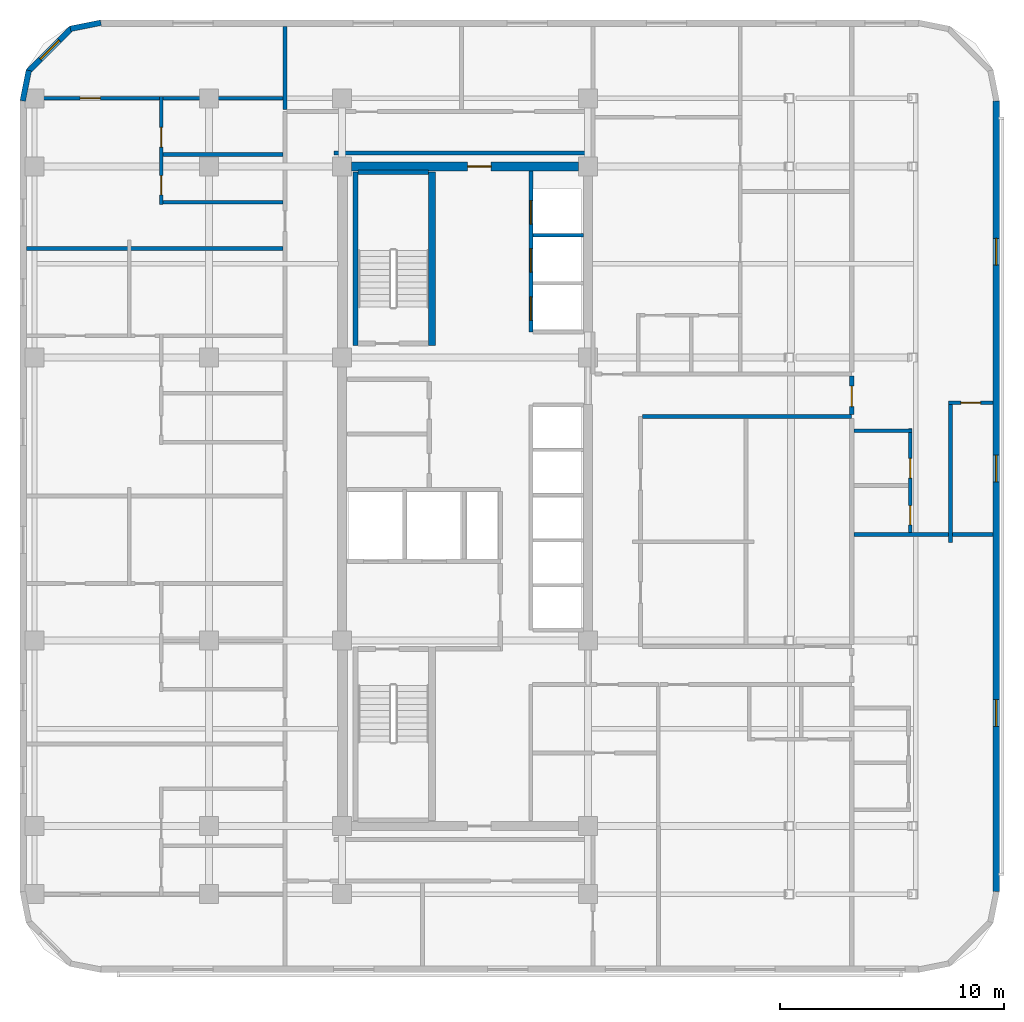
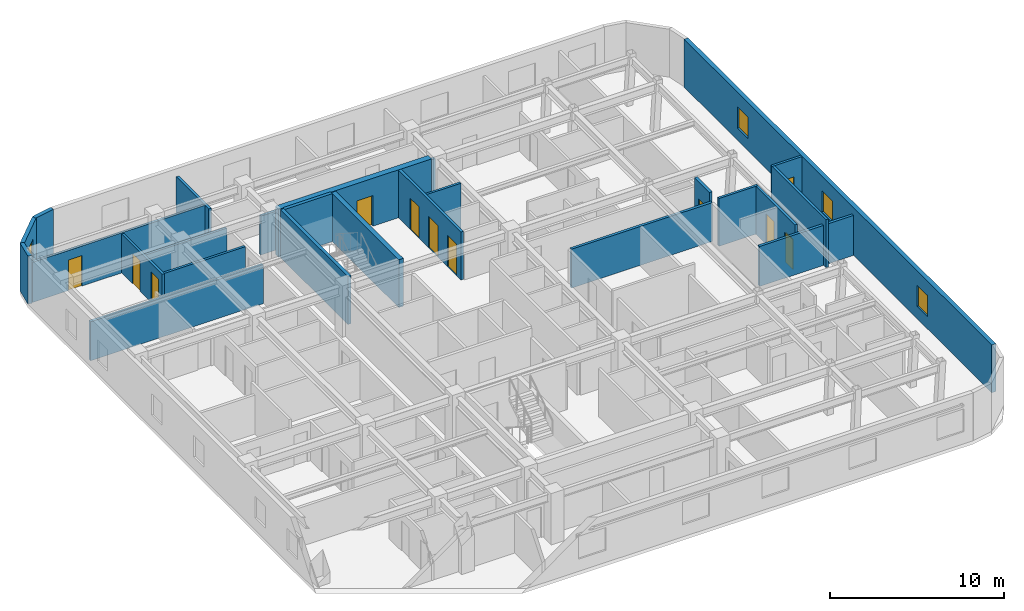
# One storey, part 6 of 11: 24 walls, 11 doors, 4 windows, 15 openings.
"""IFC4 building model written with IfcOpenShell, lengths in metres."""

from ifc_helpers import new_model, si_unit, direction, frame, frame_2d, origin, place, context, subcontext, project, spatial, rectangle, extrude, material, layer, layer_set, type_object, element, fill, save


model = new_model("IFC4")

# Units and contexts
model_context = context("Model", 3, precision=1e-05, world=origin(), true_north=direction((0.0, 1.0)))
body_context = subcontext(model_context, "Body", "Model", "MODEL_VIEW")
ifc_project = project(units=[si_unit("LENGTHUNIT", "METRE"), si_unit("AREAUNIT", "SQUARE_METRE"), si_unit("VOLUMEUNIT", "CUBIC_METRE"), si_unit("PLANEANGLEUNIT", "RADIAN"), si_unit("MASSUNIT", "GRAM", prefix="KILO")], contexts=[model_context])

# Site, building, storey
site_placement = place(None, origin())
site = spatial("IfcSite", under=ifc_project, at=site_placement, CompositionType="ELEMENT")
building_placement = place(site_placement, origin())
building = spatial("IfcBuilding", under=site, at=building_placement, Name="Ochreholt Gables", CompositionType="ELEMENT")
storey_placement = place(building_placement, frame((0.0, 0.0, 121.199951171875)))
storey = spatial("IfcBuildingStorey", under=building, at=storey_placement, Name="L31", CompositionType="ELEMENT", Elevation=121.199951171875)

# Wall, opening, door
ifc_material_1 = material(Name="Concrete 60 MPa", Category="concrete")
ifc_layer_1 = layer(ifc_material_1, 0.39990234375, Name="Concrete 60 MPa")
ifc_layer_set_1 = layer_set([ifc_layer_1], Name="Concrete 60 MPa")
wall_type_1 = type_object("IfcWallType", Name="WALL-CSW-400", PredefinedType="SHEAR", material=ifc_layer_set_1)
wall_1_placement = place(storey_placement, frame((24.625, 38.75, 0.0), z_axis=(0.0, 0.0, 1.0), x_axis=(1.0, 0.0, 0.0)))
wall_1 = element("IfcWall", 1, at=wall_1_placement, inside=storey, type_object=wall_type_1, Name="L31 Core North Shear Wall", PredefinedType="SHEAR", context=body_context, shape_type="SweptSolid", body=[
    extrude(rectangle(XDim=10.14990234375, YDim=0.39990234375, at=frame_2d((5.074951171875, 0.0))), origin(), (0.0, 0.0, 1.0), 3.360107421875),
])
opening_1_placement = place(wall_1_placement, frame((5.199951171875, 0.0, 0.0)))
opening_1 = element("IfcOpeningElement", 2, at=opening_1_placement, cuts=wall_1, Name="Opening D-FLB", PredefinedType="OPENING", context=body_context, shape_type="SweptSolid", body=[
    extrude(rectangle(XDim=1.050048828125, YDim=2.14990234375, at=frame_2d((0.52490234375, 1.074951171875))), frame((0.0, 0.2099609375, 0.0), z_axis=(0.0, -1.0, 0.0), x_axis=(1.0, 0.0, 0.0)), (0.0, 0.0, 1.0), 0.419921875),
])
ifc_material_2 = material(Name="Hollow Metal Steel", Category="steel")
door_type_1 = type_object("IfcDoorType", Name="DR-INT-FLB1050", OperationType="NOTDEFINED", PredefinedType="DOOR", material=ifc_material_2)
door_1_placement = place(opening_1_placement, frame((1.050048828125, 0.0, 0.0), z_axis=(0.0, 0.0, 1.0), x_axis=(-1.0, 0.0, 0.0)))
door_1 = element("IfcDoor", 3, at=door_1_placement, inside=storey, type_object=door_type_1, Name="L31 Door D-C2CRN-L31", OperationType="SINGLE_SWING_RIGHT", OverallHeight=2.14990234375, OverallWidth=1.050048828125, PredefinedType="DOOR", context=body_context, shape_type="SweptSolid", body=[
    extrude(rectangle(XDim=1.050048828125, YDim=2.14990234375, at=frame_2d((0.52490234375, 1.074951171875))), frame((0.0, 0.02490234375, 0.0), z_axis=(0.0, -1.0, 0.0), x_axis=(1.0, 0.0, 0.0)), (0.0, 0.0, 1.0), 0.050048828125),
])
fill(opening_1, door_1)

# Wall, openings, windows
ifc_material_3 = material(Name="Precast concrete 40 MPa", Category="concrete")
ifc_layer_2 = layer(ifc_material_3, 0.280029296875, Name="Precast concrete 40 MPa")
ifc_layer_set_2 = layer_set([ifc_layer_2], Name="Precast concrete 40 MPa")
wall_type_2 = type_object("IfcWallType", Name="WALL-EXT-280", PredefinedType="SOLIDWALL", material=ifc_layer_set_2)
wall_2_placement = place(storey_placement, frame((53.4599609375, 6.320068359375, 0.0), z_axis=(0.0, 0.0, 1.0), x_axis=(0.0, 1.0, 0.0)))
wall_2 = element("IfcWall", 4, at=wall_2_placement, inside=storey, type_object=wall_type_2, Name="L31 East Exterior Wall", PredefinedType="SOLIDWALL", context=body_context, shape_type="SweptSolid", body=[
    extrude(rectangle(XDim=35.35986328125, YDim=0.280029296875, at=frame_2d((17.679931640625, 0.0))), origin(), (0.0, 0.0, 1.0), 3.360107421875),
])
opening_2_placement = place(wall_2_placement, frame((7.387939453125, 0.0, 0.85009765625)))
opening_2 = element("IfcOpeningElement", 5, at=opening_2_placement, cuts=wall_2, Name="Opening WN-3", PredefinedType="OPENING", context=body_context, shape_type="SweptSolid", body=[
    extrude(rectangle(XDim=1.199951171875, YDim=1.5, at=frame_2d((0.60009765625, 0.75))), frame((0.0, 0.14990234375, 0.0), z_axis=(0.0, -1.0, 0.0), x_axis=(1.0, 0.0, 0.0)), (0.0, 0.0, 1.0), 0.300048828125),
])
opening_3_placement = place(wall_2_placement, frame((18.321044921875, 0.0, 0.85009765625)))
opening_3 = element("IfcOpeningElement", 6, at=opening_3_placement, cuts=wall_2, Name="Opening WN-3", PredefinedType="OPENING", context=body_context, shape_type="SweptSolid", body=[
    extrude(rectangle(XDim=1.199951171875, YDim=1.5, at=frame_2d((0.60009765625, 0.75))), frame((0.0, 0.14990234375, 0.0), z_axis=(0.0, -1.0, 0.0), x_axis=(1.0, 0.0, 0.0)), (0.0, 0.0, 1.0), 0.300048828125),
])
opening_4_placement = place(wall_2_placement, frame((28.012939453125, 0.0, 0.85009765625)))
opening_4 = element("IfcOpeningElement", 7, at=opening_4_placement, cuts=wall_2, Name="Opening WN-3", PredefinedType="OPENING", context=body_context, shape_type="SweptSolid", body=[
    extrude(rectangle(XDim=1.199951171875, YDim=1.5, at=frame_2d((0.60009765625, 0.75))), frame((0.0, 0.14990234375, 0.0), z_axis=(0.0, -1.0, 0.0), x_axis=(1.0, 0.0, 0.0)), (0.0, 0.0, 1.0), 0.300048828125),
])
ifc_material_4 = material(Name="Triple-Glazed Thermally Broken Aluminium Window", Category="aluminium")
window_type = type_object("IfcWindowType", Name="WIN-RES-1200", PartitioningType="SINGLE_PANEL", PredefinedType="WINDOW", material=ifc_material_4)
window_1_placement = place(opening_2_placement, origin())
window_1 = element("IfcWindow", 8, at=window_1_placement, inside=storey, type_object=window_type, Name="L31 Window W-EXT-E-L31-1", OverallHeight=1.5, OverallWidth=1.199951171875, PartitioningType="SINGLE_PANEL", PredefinedType="WINDOW", context=body_context, shape_type="SweptSolid", body=[
    extrude(rectangle(XDim=1.199951171875, YDim=1.5, at=frame_2d((0.60009765625, 0.75))), frame((0.0, 0.030029296875, 0.0), z_axis=(0.0, -1.0, 0.0), x_axis=(1.0, 0.0, 0.0)), (0.0, 0.0, 1.0), 0.06005859375),
])
fill(opening_2, window_1)
window_2_placement = place(opening_3_placement, origin())
window_2 = element("IfcWindow", 9, at=window_2_placement, inside=storey, type_object=window_type, Name="L31 Window W-EXT-E-L31-2", OverallHeight=1.5, OverallWidth=1.199951171875, PartitioningType="SINGLE_PANEL", PredefinedType="WINDOW", context=body_context, shape_type="SweptSolid", body=[
    extrude(rectangle(XDim=1.199951171875, YDim=1.5, at=frame_2d((0.60009765625, 0.75))), frame((0.0, 0.030029296875, 0.0), z_axis=(0.0, -1.0, 0.0), x_axis=(1.0, 0.0, 0.0)), (0.0, 0.0, 1.0), 0.06005859375),
])
fill(opening_3, window_2)
window_3_placement = place(opening_4_placement, origin())
window_3 = element("IfcWindow", 10, at=window_3_placement, inside=storey, type_object=window_type, Name="L31 Window W-EXT-E-L31-3", OverallHeight=1.5, OverallWidth=1.199951171875, PartitioningType="SINGLE_PANEL", PredefinedType="WINDOW", context=body_context, shape_type="SweptSolid", body=[
    extrude(rectangle(XDim=1.199951171875, YDim=1.5, at=frame_2d((0.60009765625, 0.75))), frame((0.0, 0.030029296875, 0.0), z_axis=(0.0, -1.0, 0.0), x_axis=(1.0, 0.0, 0.0)), (0.0, 0.0, 1.0), 0.06005859375),
])
fill(opening_4, window_3)

# Wall
ifc_layer_3 = layer(ifc_material_3, 0.25, Name="Precast concrete 40 MPa")
ifc_layer_set_3 = layer_set([ifc_layer_3], Name="Precast concrete 40 MPa")
wall_type_3 = type_object("IfcWallType", Name="WALL-EXT-CNR", PredefinedType="SOLIDWALL", material=ifc_layer_set_3)
wall_3_placement = place(storey_placement, frame((13.41650390625, 45.17578125, 0.0), z_axis=(0.0, 0.0, 1.0), x_axis=(-0.980809899341, -0.19496651342, 0.0)))
element("IfcWall", 11, at=wall_3_placement, inside=storey, type_object=wall_type_3, Name="L31 Rounded Corner Wall NW-1", PredefinedType="SOLIDWALL", context=body_context, shape_type="SweptSolid", body=[
    extrude(rectangle(XDim=1.388671875, YDim=0.25, at=frame_2d((0.6943359375, 0.0))), origin(), (0.0, 0.0, 1.0), 3.360107421875),
])

# Wall, opening, window
wall_4_placement = place(storey_placement, frame((12.10498046875, 44.931884765625, 0.0), z_axis=(0.0, 0.0, 1.0), x_axis=(-0.707151344399, -0.707062215165, 0.0)))
wall_4 = element("IfcWall", 12, at=wall_4_placement, inside=storey, type_object=wall_type_3, Name="L31 Rounded Corner Wall NW-2", PredefinedType="SOLIDWALL", context=body_context, shape_type="SweptSolid", body=[
    extrude(rectangle(XDim=2.7392578125, YDim=0.25, at=frame_2d((1.36962890625, 0.0))), origin(), (0.0, 0.0, 1.0), 3.360107421875),
])
opening_5_placement = place(wall_4_placement, frame((0.769775390625, 0.0, 0.85009765625)))
opening_5 = element("IfcOpeningElement", 13, at=opening_5_placement, cuts=wall_4, Name="Opening WN-3", PredefinedType="OPENING", context=body_context, shape_type="SweptSolid", body=[
    extrude(rectangle(XDim=1.199951171875, YDim=1.5, at=frame_2d((0.60009765625, 0.75))), frame((0.0, 0.135009765625, 0.0), z_axis=(0.0, -1.0, 0.0), x_axis=(1.0, 0.0, 0.0)), (0.0, 0.0, 1.0), 0.27001953125),
])
window_4_placement = place(opening_5_placement, origin())
window_4 = element("IfcWindow", 14, at=window_4_placement, inside=storey, type_object=window_type, Name="L31 Corner Bedroom Window NW", OverallHeight=1.5, OverallWidth=1.199951171875, PartitioningType="SINGLE_PANEL", PredefinedType="WINDOW", context=body_context, shape_type="SweptSolid", body=[
    extrude(rectangle(XDim=1.199951171875, YDim=1.5, at=frame_2d((0.60009765625, 0.75))), frame((0.0, 0.030029296875, 0.0), z_axis=(0.0, -1.0, 0.0), x_axis=(1.0, 0.0, 0.0)), (0.0, 0.0, 1.0), 0.06005859375),
])
fill(opening_5, window_4)

# Walls
wall_5_placement = place(storey_placement, frame((10.195068359375, 43.04541015625, 0.0), z_axis=(0.0, 0.0, 1.0), x_axis=(-0.195000137217, -0.980803214965, 0.0)))
element("IfcWall", 15, at=wall_5_placement, inside=storey, type_object=wall_type_3, Name="L31 Rounded Corner Wall NW-3", PredefinedType="SOLIDWALL", context=body_context, shape_type="SweptSolid", body=[
    extrude(rectangle(XDim=1.388427734375, YDim=0.25, at=frame_2d((0.6943359375, 0.0))), origin(), (0.0, 0.0, 1.0), 3.360107421875),
])
ifc_material_5 = material(Name="Fire-Rated Gypsum Acoustic Partition", Category="gypsum")
ifc_layer_4 = layer(ifc_material_5, 0.179931640625, Name="Fire-Rated Gypsum Acoustic Partition")
ifc_layer_set_4 = layer_set([ifc_layer_4], Name="Fire-Rated Gypsum Acoustic Partition")
wall_type_4 = type_object("IfcWallType", Name="WALL-INT-CR180", PredefinedType="STANDARD", material=ifc_layer_set_4)
wall_6_placement = place(storey_placement, frame((37.639892578125, 27.56005859375, 0.0), z_axis=(0.0, 0.0, 1.0), x_axis=(1.0, 0.0, 0.0)))
element("IfcWall", 16, at=wall_6_placement, inside=storey, type_object=wall_type_4, Name="L31 Interior Wall WI-C2SN1-L31", PredefinedType="STANDARD", context=body_context, shape_type="SweptSolid", body=[
    extrude(rectangle(XDim=9.360107421875, YDim=0.179931640625, at=frame_2d((4.68017578125, 0.0))), origin(), (0.0, 0.0, 1.0), 2.73095703125),
])
wall_7_placement = place(storey_placement, frame((23.85009765625, 39.35009765625, 0.0), z_axis=(0.0, 0.0, 1.0), x_axis=(1.0, 0.0, 0.0)))
element("IfcWall", 17, at=wall_7_placement, inside=storey, type_object=wall_type_4, Name="L31 Interior Wall WI-C2WCN2-L31", PredefinedType="STANDARD", context=body_context, shape_type="SweptSolid", body=[
    extrude(rectangle(XDim=11.56982421875, YDim=0.179931640625, at=frame_2d((5.784912109375, 0.0))), origin(), (0.0, 0.0, 1.0), 2.73095703125),
])

# Wall, opening, door
wall_8_placement = place(storey_placement, frame((47.0, 27.64990234375, 0.0), z_axis=(0.0, 0.0, 1.0), x_axis=(0.0, 1.0, 0.0)))
wall_8 = element("IfcWall", 18, at=wall_8_placement, inside=storey, type_object=wall_type_4, Name="L31 Interior Wall WI-C2SNE-L31", PredefinedType="STANDARD", context=body_context, shape_type="SweptSolid", body=[
    extrude(rectangle(XDim=1.72021484375, YDim=0.179931640625, at=frame_2d((0.860107421875, 0.0))), origin(), (0.0, 0.0, 1.0), 3.360107421875),
])
opening_6_placement = place(wall_8_placement, frame((0.360107421875, 0.0, 0.0)))
opening_6 = element("IfcOpeningElement", 19, at=opening_6_placement, cuts=wall_8, Name="Opening D-UN1", PredefinedType="OPENING", context=body_context, shape_type="SweptSolid", body=[
    extrude(rectangle(XDim=0.919921875, YDim=2.14990234375, at=frame_2d((0.4599609375, 1.074951171875))), frame((0.0, 0.099853515625, 0.0), z_axis=(0.0, -1.0, 0.0), x_axis=(1.0, 0.0, 0.0)), (0.0, 0.0, 1.0), 0.199951171875),
])
ifc_material_6 = material(Name="Engineered Oak Timber", Category="wood")
door_type_2 = type_object("IfcDoorType", Name="DR-INT-UNT920", OperationType="NOTDEFINED", PredefinedType="DOOR", material=ifc_material_6)
door_2_placement = place(opening_6_placement, origin())
door_2 = element("IfcDoor", 20, at=door_2_placement, inside=storey, type_object=door_type_2, Name="L31 Door D-U-L31FEN-ENT", OperationType="SINGLE_SWING_LEFT", OverallHeight=2.14990234375, OverallWidth=0.919921875, PredefinedType="DOOR", context=body_context, shape_type="SweptSolid", body=[
    extrude(rectangle(XDim=0.919921875, YDim=2.14990234375, at=frame_2d((0.4599609375, 1.074951171875))), frame((0.0, 0.02490234375, 0.0), z_axis=(0.0, -1.0, 0.0), x_axis=(1.0, 0.0, 0.0)), (0.0, 0.0, 1.0), 0.050048828125),
])
fill(opening_6, door_2)

# Walls
ifc_material_7 = material(Name="Double-Stud Acoustic Demising Wall", Category="gypsum")
ifc_layer_5 = layer(ifc_material_7, 0.179931640625, Name="Double-Stud Acoustic Demising Wall")
ifc_layer_set_5 = layer_set([ifc_layer_5], Name="Double-Stud Acoustic Demising Wall")
wall_type_5 = type_object("IfcWallType", Name="WALL-INT-DM180", PredefinedType="PARTITIONING", material=ifc_layer_set_5)
wall_9_placement = place(storey_placement, frame((21.64990234375, 41.2900390625, 0.0), z_axis=(0.0, 0.0, 1.0), x_axis=(0.0, 1.0, 0.0)))
element("IfcWall", 21, at=wall_9_placement, inside=storey, type_object=wall_type_5, Name="L31 Interior Wall WI-C2WWN-L31", PredefinedType="PARTITIONING", context=body_context, shape_type="SweptSolid", body=[
    extrude(rectangle(XDim=3.72998046875, YDim=0.179931640625, at=frame_2d((1.864990234375, 0.0))), origin(), (0.0, 0.0, 1.0), 2.80908203125),
])
wall_10_placement = place(storey_placement, frame((47.090087890625, 22.2958984375, 0.0), z_axis=(0.0, 0.0, 1.0), x_axis=(1.0, 0.0, 0.0)))
element("IfcWall", 22, at=wall_10_placement, inside=storey, type_object=wall_type_5, Name="L31 Interior Wall WI-C2FED-L31", PredefinedType="PARTITIONING", context=body_context, shape_type="SweptSolid", body=[
    extrude(rectangle(XDim=6.22998046875, YDim=0.179931640625, at=frame_2d((3.114990234375, 0.0))), origin(), (0.0, 0.0, 1.0), 2.80908203125),
])
wall_11_placement = place(storey_placement, frame((10.080078125, 35.075927734375, 0.0), z_axis=(0.0, 0.0, 1.0), x_axis=(1.0, 0.0, 0.0)))
element("IfcWall", 23, at=wall_11_placement, inside=storey, type_object=wall_type_5, Name="L31 Interior Wall WI-C2UDW4-L31", PredefinedType="PARTITIONING", context=body_context, shape_type="SweptSolid", body=[
    extrude(rectangle(XDim=11.47998046875, YDim=0.179931640625, at=frame_2d((5.739990234375, 0.0))), origin(), (0.0, 0.0, 1.0), 2.73095703125),
])
ifc_material_8 = material(Name="Moisture-Resistant Plumbing Chase Wall", Category="gypsum")
ifc_layer_6 = layer(ifc_material_8, 0.159912109375, Name="Moisture-Resistant Plumbing Chase Wall")
ifc_layer_set_6 = layer_set([ifc_layer_6], Name="Moisture-Resistant Plumbing Chase Wall")
wall_type_6 = type_object("IfcWallType", Name="WALL-INT-PL160", PredefinedType="PLUMBINGWALL", material=ifc_layer_set_6)
wall_12_placement = place(storey_placement, frame((47.090087890625, 26.93603515625, 0.0), z_axis=(0.0, 0.0, 1.0), x_axis=(1.0, 0.0, 0.0)))
element("IfcWall", 24, at=wall_12_placement, inside=storey, type_object=wall_type_6, Name="L31 Interior Wall WU-L31FEN-WYN", PredefinedType="PLUMBINGWALL", context=body_context, shape_type="SweptSolid", body=[
    extrude(rectangle(XDim=2.60595703125, YDim=0.159912109375, at=frame_2d((1.302978515625, 0.0))), origin(), (0.0, 0.0, 1.0), 3.360107421875),
])

# Wall, openings, doors
wall_13_placement = place(storey_placement, frame((49.615966796875, 22.385986328125, 0.0), z_axis=(0.0, 0.0, 1.0), x_axis=(0.0, 1.0, 0.0)))
wall_13 = element("IfcWall", 25, at=wall_13_placement, inside=storey, type_object=wall_type_6, Name="L31 Interior Wall WU-L31FEN-WX", PredefinedType="PLUMBINGWALL", context=body_context, shape_type="SweptSolid", body=[
    extrude(rectangle(XDim=4.639892578125, YDim=0.159912109375, at=frame_2d((2.31982421875, 0.0))), origin(), (0.0, 0.0, 1.0), 3.360107421875),
])
opening_7_placement = place(wall_13_placement, frame((0.330078125, 0.0, 0.0)))
opening_7 = element("IfcOpeningElement", 26, at=opening_7_placement, cuts=wall_13, Name="Opening D-BT1", PredefinedType="OPENING", context=body_context, shape_type="SweptSolid", body=[
    extrude(rectangle(XDim=0.860107421875, YDim=2.1201171875, at=frame_2d((0.43017578125, 1.06005859375))), frame((0.0, 0.08984375, 0.0), z_axis=(0.0, -1.0, 0.0), x_axis=(1.0, 0.0, 0.0)), (0.0, 0.0, 1.0), 0.179931640625),
])
opening_8_placement = place(wall_13_placement, frame((2.423095703125, 0.0, 0.0)))
opening_8 = element("IfcOpeningElement", 27, at=opening_8_placement, cuts=wall_13, Name="Opening D-GN2", PredefinedType="OPENING", context=body_context, shape_type="SweptSolid", body=[
    extrude(rectangle(XDim=0.8798828125, YDim=2.1201171875, at=frame_2d((0.43994140625, 1.06005859375))), frame((0.0, 0.08984375, 0.0), z_axis=(0.0, -1.0, 0.0), x_axis=(1.0, 0.0, 0.0)), (0.0, 0.0, 1.0), 0.179931640625),
])
door_type_3 = type_object("IfcDoorType", Name="DR-INT-BTH860", OperationType="NOTDEFINED", PredefinedType="DOOR", material=ifc_material_6)
door_3_placement = place(opening_7_placement, origin())
door_3 = element("IfcDoor", 28, at=door_3_placement, inside=storey, type_object=door_type_3, Name="L31 Door D-U-L31FEN-BTH", OperationType="SINGLE_SWING_RIGHT", OverallHeight=2.1201171875, OverallWidth=0.860107421875, PredefinedType="DOOR", context=body_context, shape_type="SweptSolid", body=[
    extrude(rectangle(XDim=0.860107421875, YDim=2.1201171875, at=frame_2d((0.43017578125, 1.06005859375))), frame((0.0, 0.02490234375, 0.0), z_axis=(0.0, -1.0, 0.0), x_axis=(1.0, 0.0, 0.0)), (0.0, 0.0, 1.0), 0.050048828125),
])
fill(opening_7, door_3)
door_type_4 = type_object("IfcDoorType", Name="DR-INT-GEN880", OperationType="NOTDEFINED", PredefinedType="DOOR", material=ifc_material_6)
door_4_placement = place(opening_8_placement, origin())
door_4 = element("IfcDoor", 29, at=door_4_placement, inside=storey, type_object=door_type_4, Name="L31 Door D-U-L31FEN-KIT", OperationType="SINGLE_SWING_LEFT", OverallHeight=2.1201171875, OverallWidth=0.8798828125, PredefinedType="DOOR", context=body_context, shape_type="SweptSolid", body=[
    extrude(rectangle(XDim=0.8798828125, YDim=2.1201171875, at=frame_2d((0.43994140625, 1.06005859375))), frame((0.0, 0.02490234375, 0.0), z_axis=(0.0, -1.0, 0.0), x_axis=(1.0, 0.0, 0.0)), (0.0, 0.0, 1.0), 0.050048828125),
])
fill(opening_8, door_4)

# Wall
wall_14_placement = place(storey_placement, frame((16.030029296875, 37.14501953125, 0.0), z_axis=(0.0, 0.0, 1.0), x_axis=(1.0, 0.0, 0.0)))
element("IfcWall", 30, at=wall_14_placement, inside=storey, type_object=wall_type_6, Name="L31 Interior Wall WU-L31W4-FYS", PredefinedType="PLUMBINGWALL", context=body_context, shape_type="SweptSolid", body=[
    extrude(rectangle(XDim=5.530029296875, YDim=0.159912109375, at=frame_2d((2.76513671875, 0.0))), origin(), (0.0, 0.0, 1.0), 2.73095703125),
])

# Wall, openings, doors
wall_15_placement = place(storey_placement, frame((16.110107421875, 37.054931640625, 0.0), z_axis=(0.0, 0.0, 1.0), x_axis=(0.0, 1.0, 0.0)))
wall_15 = element("IfcWall", 31, at=wall_15_placement, inside=storey, type_object=wall_type_6, Name="L31 Interior Wall WU-L31W4-WX", PredefinedType="PLUMBINGWALL", context=body_context, shape_type="SweptSolid", body=[
    extrude(rectangle(XDim=4.830078125, YDim=0.159912109375, at=frame_2d((2.4150390625, 0.0))), origin(), (0.0, 0.0, 1.0), 2.73095703125),
])
opening_9_placement = place(wall_15_placement, frame((0.419921875, 0.0, 0.0)))
opening_9 = element("IfcOpeningElement", 32, at=opening_9_placement, cuts=wall_15, Name="Opening D-BT1", PredefinedType="OPENING", context=body_context, shape_type="SweptSolid", body=[
    extrude(rectangle(XDim=0.860107421875, YDim=2.1201171875, at=frame_2d((0.43017578125, 1.06005859375))), frame((0.0, 0.08984375, 0.0), z_axis=(0.0, -1.0, 0.0), x_axis=(1.0, 0.0, 0.0)), (0.0, 0.0, 1.0), 0.179931640625),
])
opening_10_placement = place(wall_15_placement, frame((2.55908203125, 0.0, 0.0)))
opening_10 = element("IfcOpeningElement", 33, at=opening_10_placement, cuts=wall_15, Name="Opening D-GN2", PredefinedType="OPENING", context=body_context, shape_type="SweptSolid", body=[
    extrude(rectangle(XDim=0.8798828125, YDim=2.1201171875, at=frame_2d((0.43994140625, 1.06005859375))), frame((0.0, 0.08984375, 0.0), z_axis=(0.0, -1.0, 0.0), x_axis=(1.0, 0.0, 0.0)), (0.0, 0.0, 1.0), 0.179931640625),
])
door_5_placement = place(opening_9_placement, origin())
door_5 = element("IfcDoor", 34, at=door_5_placement, inside=storey, type_object=door_type_3, Name="L31 Door D-U-L31W4-BTH", OperationType="SINGLE_SWING_RIGHT", OverallHeight=2.1201171875, OverallWidth=0.860107421875, PredefinedType="DOOR", context=body_context, shape_type="SweptSolid", body=[
    extrude(rectangle(XDim=0.860107421875, YDim=2.1201171875, at=frame_2d((0.43017578125, 1.06005859375))), frame((0.0, 0.02490234375, 0.0), z_axis=(0.0, -1.0, 0.0), x_axis=(1.0, 0.0, 0.0)), (0.0, 0.0, 1.0), 0.050048828125),
])
fill(opening_9, door_5)
door_6_placement = place(opening_10_placement, origin())
door_6 = element("IfcDoor", 35, at=door_6_placement, inside=storey, type_object=door_type_4, Name="L31 Door D-U-L31W4-KIT", OperationType="SINGLE_SWING_LEFT", OverallHeight=2.1201171875, OverallWidth=0.8798828125, PredefinedType="DOOR", context=body_context, shape_type="SweptSolid", body=[
    extrude(rectangle(XDim=0.8798828125, YDim=2.1201171875, at=frame_2d((0.43994140625, 1.06005859375))), frame((0.0, 0.02490234375, 0.0), z_axis=(0.0, -1.0, 0.0), x_axis=(1.0, 0.0, 0.0)), (0.0, 0.0, 1.0), 0.050048828125),
])
fill(opening_10, door_6)

# Walls
wall_16_placement = place(storey_placement, frame((16.18994140625, 39.283935546875, 0.0), z_axis=(0.0, 0.0, 1.0), x_axis=(1.0, 0.0, 0.0)))
element("IfcWall", 36, at=wall_16_placement, inside=storey, type_object=wall_type_6, Name="L31 Interior Wall WU-L31W4-WK", PredefinedType="PLUMBINGWALL", context=body_context, shape_type="SweptSolid", body=[
    extrude(rectangle(XDim=5.3701171875, YDim=0.159912109375, at=frame_2d((2.68505859375, 0.0))), origin(), (0.0, 0.0, 1.0), 2.73095703125),
])
ifc_material_9 = material(Name="Gypsum Acoustic Stud Partition", Category="gypsum")
ifc_layer_7 = layer(ifc_material_9, 0.1650390625, Name="Gypsum Acoustic Stud Partition")
ifc_layer_set_7 = layer_set([ifc_layer_7], Name="Gypsum Acoustic Stud Partition")
wall_type_7 = type_object("IfcWallType", Name="WALL-INT-PT165", PredefinedType="PARTITIONING", material=ifc_layer_set_7)
wall_17_placement = place(storey_placement, frame((51.416015625, 21.93603515625, 0.0), z_axis=(0.0, 0.0, 1.0), x_axis=(0.0, 1.0, 0.0)))
element("IfcWall", 37, at=wall_17_placement, inside=storey, type_object=wall_type_7, Name="L31 Interior Wall WU-L31FEN-STW", PredefinedType="PARTITIONING", context=body_context, shape_type="SweptSolid", body=[
    extrude(rectangle(XDim=6.25, YDim=0.1650390625, at=frame_2d((3.125, 0.0))), origin(), (0.0, 0.0, 1.0), 3.360107421875),
])

# Wall, opening, door
wall_18_placement = place(storey_placement, frame((51.3359375, 28.18603515625, 0.0), z_axis=(0.0, 0.0, 1.0), x_axis=(1.0, 0.0, 0.0)))
wall_18 = element("IfcWall", 38, at=wall_18_placement, inside=storey, type_object=wall_type_7, Name="L31 Interior Wall WU-L31FEN-STN", PredefinedType="PARTITIONING", context=body_context, shape_type="SweptSolid", body=[
    extrude(rectangle(XDim=1.984130859375, YDim=0.1650390625, at=frame_2d((0.9921875, 0.0))), origin(), (0.0, 0.0, 1.0), 3.360107421875),
])
opening_11_placement = place(wall_18_placement, frame((0.550048828125, 0.0, 0.0)))
opening_11 = element("IfcOpeningElement", 39, at=opening_11_placement, cuts=wall_18, Name="Opening D-GN2", PredefinedType="OPENING", context=body_context, shape_type="SweptSolid", body=[
    extrude(rectangle(XDim=0.8798828125, YDim=2.1201171875, at=frame_2d((0.43994140625, 1.06005859375))), frame((0.0, 0.092529296875, 0.0), z_axis=(0.0, -1.0, 0.0), x_axis=(1.0, 0.0, 0.0)), (0.0, 0.0, 1.0), 0.18505859375),
])
door_7_placement = place(opening_11_placement, origin())
door_7 = element("IfcDoor", 40, at=door_7_placement, inside=storey, type_object=door_type_4, Name="L31 Door D-U-L31FEN-STD", OperationType="SINGLE_SWING_RIGHT", OverallHeight=2.1201171875, OverallWidth=0.8798828125, PredefinedType="DOOR", context=body_context, shape_type="SweptSolid", body=[
    extrude(rectangle(XDim=0.8798828125, YDim=2.1201171875, at=frame_2d((0.43994140625, 1.06005859375))), frame((0.0, 0.02490234375, 0.0), z_axis=(0.0, -1.0, 0.0), x_axis=(1.0, 0.0, 0.0)), (0.0, 0.0, 1.0), 0.050048828125),
])
fill(opening_11, door_7)

wall_19_placement = place(storey_placement, frame((10.099365234375, 41.794921875, 0.0), z_axis=(0.0, 0.0, 1.0), x_axis=(1.0, 0.0, 0.0)))
wall_19 = element("IfcWall", 41, at=wall_19_placement, inside=storey, type_object=wall_type_7, Name="L31 Interior Wall WU-L31W4-MN", PredefinedType="PARTITIONING", context=body_context, shape_type="SweptSolid", body=[
    extrude(rectangle(XDim=11.460693359375, YDim=0.1650390625, at=frame_2d((5.73046875, 0.0))), origin(), (0.0, 0.0, 1.0), 2.80908203125),
])
opening_12_placement = place(wall_19_placement, frame((2.390625, 0.0, 0.0)))
opening_12 = element("IfcOpeningElement", 42, at=opening_12_placement, cuts=wall_19, Name="Opening D-BD1", PredefinedType="OPENING", context=body_context, shape_type="SweptSolid", body=[
    extrude(rectangle(XDim=0.89990234375, YDim=2.139892578125, at=frame_2d((0.449951171875, 1.06982421875))), frame((0.0, 0.092529296875, 0.0), z_axis=(0.0, -1.0, 0.0), x_axis=(1.0, 0.0, 0.0)), (0.0, 0.0, 1.0), 0.18505859375),
])
door_type_5 = type_object("IfcDoorType", Name="DR-INT-BED900", OperationType="NOTDEFINED", PredefinedType="DOOR", material=ifc_material_6)
door_8_placement = place(opening_12_placement, origin())
door_8 = element("IfcDoor", 43, at=door_8_placement, inside=storey, type_object=door_type_5, Name="L31 Door D-U-L31W4-BD1", OperationType="SINGLE_SWING_RIGHT", OverallHeight=2.139892578125, OverallWidth=0.89990234375, PredefinedType="DOOR", context=body_context, shape_type="SweptSolid", body=[
    extrude(rectangle(XDim=0.89990234375, YDim=2.139892578125, at=frame_2d((0.449951171875, 1.06982421875))), frame((0.0, 0.02490234375, 0.0), z_axis=(0.0, -1.0, 0.0), x_axis=(1.0, 0.0, 0.0)), (0.0, 0.0, 1.0), 0.050048828125),
])
fill(opening_12, door_8)

# Wall
ifc_material_10 = material(Name="Gypsum Shaftliner and Steel Stud", Category="steel")
ifc_layer_8 = layer(ifc_material_10, 0.14990234375, Name="Gypsum Shaftliner and Steel Stud")
ifc_layer_set_8 = layer_set([ifc_layer_8], Name="Gypsum Shaftliner and Steel Stud")
wall_type_8 = type_object("IfcWallType", Name="WALL-INT-SH150", PredefinedType="STANDARD", material=ifc_layer_set_8)
wall_20_placement = place(storey_placement, frame((32.739990234375, 35.669921875, 0.0), z_axis=(0.0, 0.0, 1.0), x_axis=(1.0, 0.0, 0.0)))
element("IfcWall", 44, at=wall_20_placement, inside=storey, type_object=wall_type_8, Name="L31 Interior Wall WI-LFM-D2-L31", PredefinedType="STANDARD", context=body_context, shape_type="SweptSolid", body=[
    extrude(rectangle(XDim=2.260009765625, YDim=0.14990234375, at=frame_2d((1.1298828125, 0.0))), origin(), (0.0, 0.0, 1.0), 3.360107421875),
])

# Wall, openings, doors
ifc_layer_9 = layer(ifc_material_10, 0.179931640625, Name="Gypsum Shaftliner and Steel Stud")
ifc_layer_set_9 = layer_set([ifc_layer_9], Name="Gypsum Shaftliner and Steel Stud")
wall_type_9 = type_object("IfcWallType", Name="WALL-INT-SH180", PredefinedType="STANDARD", material=ifc_layer_set_9)
wall_21_placement = place(storey_placement, frame((32.64990234375, 31.35009765625, 0.0), z_axis=(0.0, 0.0, 1.0), x_axis=(0.0, 1.0, 0.0)))
wall_21 = element("IfcWall", 45, at=wall_21_placement, inside=storey, type_object=wall_type_9, Name="L31 Interior Wall WI-LFM-FR-L31", PredefinedType="STANDARD", context=body_context, shape_type="SweptSolid", body=[
    extrude(rectangle(XDim=7.199951171875, YDim=0.179931640625, at=frame_2d((3.60009765625, 0.0))), origin(), (0.0, 0.0, 1.0), 3.360107421875),
])
opening_13_placement = place(wall_21_placement, frame((0.52001953125, 0.0, 0.0)))
opening_13 = element("IfcOpeningElement", 46, at=opening_13_placement, cuts=wall_21, Name="Opening LD-PX", PredefinedType="OPENING", context=body_context, shape_type="SweptSolid", body=[
    extrude(rectangle(XDim=1.050048828125, YDim=2.199951171875, at=frame_2d((0.52490234375, 1.10009765625))), frame((0.0, 0.099853515625, 0.0), z_axis=(0.0, -1.0, 0.0), x_axis=(1.0, 0.0, 0.0)), (0.0, 0.0, 1.0), 0.199951171875),
])
opening_14_placement = place(wall_21_placement, frame((2.669921875, 0.0, 0.0)))
opening_14 = element("IfcOpeningElement", 47, at=opening_14_placement, cuts=wall_21, Name="Opening LD-PX", PredefinedType="OPENING", context=body_context, shape_type="SweptSolid", body=[
    extrude(rectangle(XDim=1.050048828125, YDim=2.199951171875, at=frame_2d((0.52490234375, 1.10009765625))), frame((0.0, 0.099853515625, 0.0), z_axis=(0.0, -1.0, 0.0), x_axis=(1.0, 0.0, 0.0)), (0.0, 0.0, 1.0), 0.199951171875),
])
opening_15_placement = place(wall_21_placement, frame((4.820068359375, 0.0, 0.0)))
opening_15 = element("IfcOpeningElement", 48, at=opening_15_placement, cuts=wall_21, Name="Opening LD-PX", PredefinedType="OPENING", context=body_context, shape_type="SweptSolid", body=[
    extrude(rectangle(XDim=1.050048828125, YDim=2.199951171875, at=frame_2d((0.52490234375, 1.10009765625))), frame((0.0, 0.099853515625, 0.0), z_axis=(0.0, -1.0, 0.0), x_axis=(1.0, 0.0, 0.0)), (0.0, 0.0, 1.0), 0.199951171875),
])
ifc_material_11 = material(Name="Stainless Steel", Category="steel")
door_type_6 = type_object("IfcDoorType", Name="DR-LFT-PX1050", OperationType="NOTDEFINED", PredefinedType="DOOR", material=ifc_material_11)
door_9_placement = place(opening_13_placement, origin())
door_9 = element("IfcDoor", 49, at=door_9_placement, inside=storey, type_object=door_type_6, Name="L31 Door LD-M1-L31", OperationType="SLIDING_TO_LEFT", OverallHeight=2.199951171875, OverallWidth=1.050048828125, PredefinedType="DOOR", context=body_context, shape_type="SweptSolid", body=[
    extrude(rectangle(XDim=1.050048828125, YDim=2.199951171875, at=frame_2d((0.52490234375, 1.10009765625))), frame((0.0, 0.02490234375, 0.0), z_axis=(0.0, -1.0, 0.0), x_axis=(1.0, 0.0, 0.0)), (0.0, 0.0, 1.0), 0.050048828125),
])
fill(opening_13, door_9)
door_10_placement = place(opening_14_placement, origin())
door_10 = element("IfcDoor", 50, at=door_10_placement, inside=storey, type_object=door_type_6, Name="L31 Door LD-M2-L31", OperationType="SLIDING_TO_LEFT", OverallHeight=2.199951171875, OverallWidth=1.050048828125, PredefinedType="DOOR", context=body_context, shape_type="SweptSolid", body=[
    extrude(rectangle(XDim=1.050048828125, YDim=2.199951171875, at=frame_2d((0.52490234375, 1.10009765625))), frame((0.0, 0.02490234375, 0.0), z_axis=(0.0, -1.0, 0.0), x_axis=(1.0, 0.0, 0.0)), (0.0, 0.0, 1.0), 0.050048828125),
])
fill(opening_14, door_10)
door_11_placement = place(opening_15_placement, origin())
door_11 = element("IfcDoor", 51, at=door_11_placement, inside=storey, type_object=door_type_6, Name="L31 Door LD-M3-L31", OperationType="SLIDING_TO_LEFT", OverallHeight=2.199951171875, OverallWidth=1.050048828125, PredefinedType="DOOR", context=body_context, shape_type="SweptSolid", body=[
    extrude(rectangle(XDim=1.050048828125, YDim=2.199951171875, at=frame_2d((0.52490234375, 1.10009765625))), frame((0.0, 0.02490234375, 0.0), z_axis=(0.0, -1.0, 0.0), x_axis=(1.0, 0.0, 0.0)), (0.0, 0.0, 1.0), 0.050048828125),
])
fill(opening_15, door_11)

# Walls
ifc_layer_10 = layer(ifc_material_1, 0.300048828125, Name="Concrete 60 MPa")
ifc_layer_set_10 = layer_set([ifc_layer_10], Name="Concrete 60 MPa")
wall_type_10 = type_object("IfcWallType", Name="WALL-SPN-300", PredefinedType="SHEAR", material=ifc_layer_set_10)
wall_22_placement = place(storey_placement, frame((28.22998046875, 30.739990234375, 0.0), z_axis=(0.0, 0.0, 1.0), x_axis=(0.0, 1.0, 0.0)))
element("IfcWall", 52, at=wall_22_placement, inside=storey, type_object=wall_type_10, Name="L31 Core North Spine Shear Wall", PredefinedType="SHEAR", context=body_context, shape_type="SweptSolid", body=[
    extrude(rectangle(XDim=7.760009765625, YDim=0.300048828125, at=frame_2d((3.8798828125, 0.0))), origin(), (0.0, 0.0, 1.0), 3.360107421875),
])
ifc_material_12 = material(Name="Concrete 50 MPa", Category="concrete")
ifc_layer_11 = layer(ifc_material_12, 0.219970703125, Name="Concrete 50 MPa")
ifc_layer_set_11 = layer_set([ifc_layer_11], Name="Concrete 50 MPa")
wall_type_11 = type_object("IfcWallType", Name="WALL-STW-220", PredefinedType="SHEAR", material=ifc_layer_set_11)
wall_23_placement = place(storey_placement, frame((24.81005859375, 30.739990234375, 0.0), z_axis=(0.0, 0.0, 1.0), x_axis=(0.0, 1.0, 0.0)))
element("IfcWall", 53, at=wall_23_placement, inside=storey, type_object=wall_type_11, Name="L31 Exit Stair 2 West Wall", PredefinedType="SHEAR", context=body_context, shape_type="SweptSolid", body=[
    extrude(rectangle(XDim=7.760009765625, YDim=0.219970703125, at=frame_2d((3.8798828125, 0.0))), origin(), (0.0, 0.0, 1.0), 3.360107421875),
])
wall_24_placement = place(storey_placement, frame((24.919921875, 38.489990234375, 0.0), z_axis=(0.0, 0.0, 1.0), x_axis=(1.0, 0.0, 0.0)))
element("IfcWall", 54, at=wall_24_placement, inside=storey, type_object=wall_type_11, Name="L31 Exit Stair 2 North Wall", PredefinedType="SHEAR", context=body_context, shape_type="SweptSolid", body=[
    extrude(rectangle(XDim=3.16015625, YDim=0.219970703125, at=frame_2d((1.580078125, 0.0))), origin(), (0.0, 0.0, 1.0), 3.360107421875),
])

save(model, "model.ifc")
